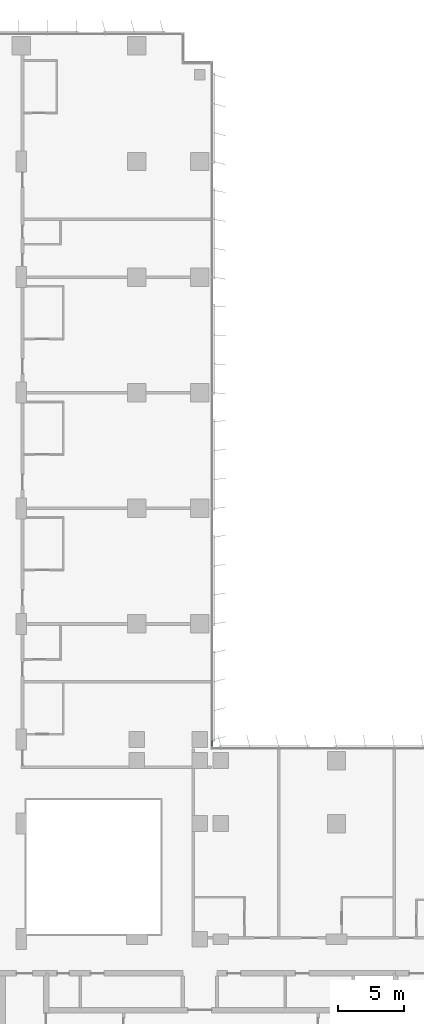
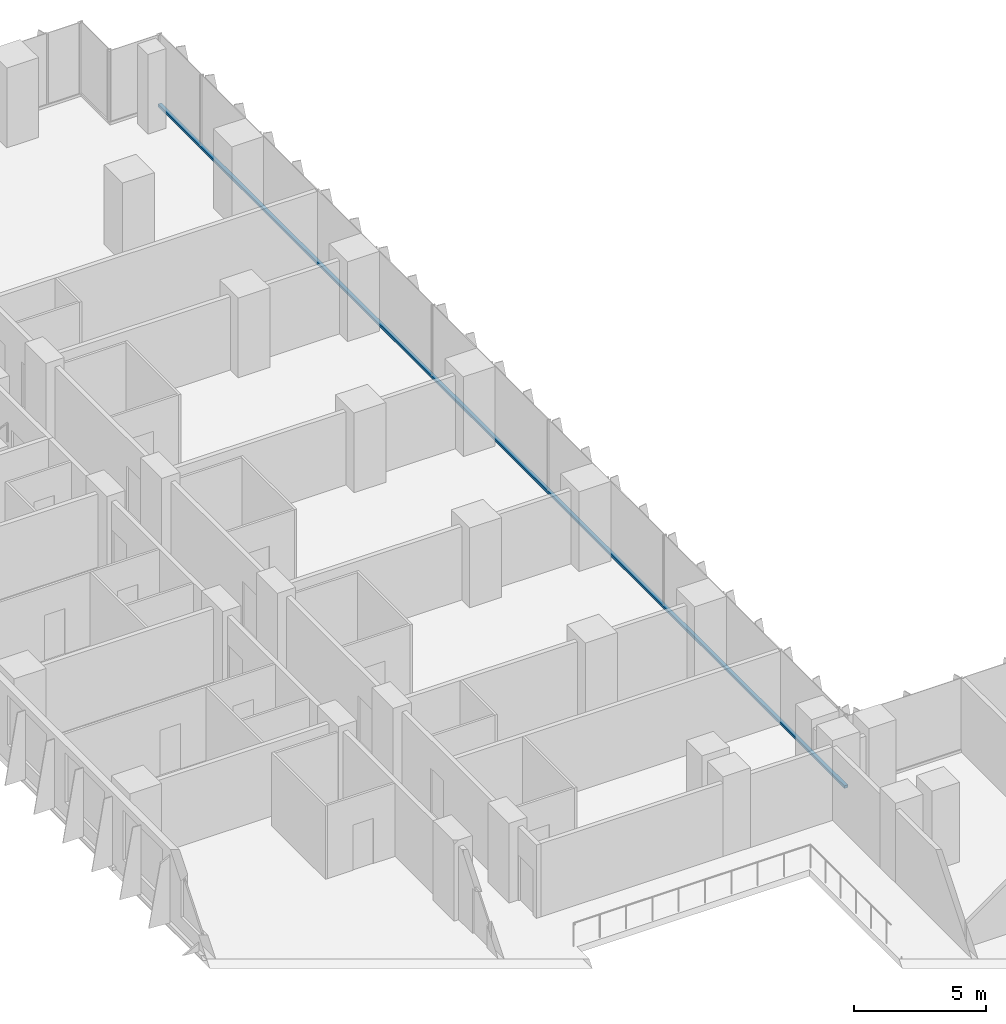
# One storey, part 6 of 24: 1 member, 1 element without a shape of its own.
"""IFC4 building model written with IfcOpenShell, lengths in metres."""

from ifc_helpers import new_model, si_unit, direction, frame, origin, origin_2d, place, context, subcontext, project, spatial, rectangle, extrude, material, material_profile, profile_set, type_object, element, aggregate, save


model = new_model("IFC4")

# Units and contexts
model_context = context("Model", 3, precision=1e-05, world=origin(), true_north=direction((0.0, 1.0)))
body_context = subcontext(model_context, "Body", "Model", "MODEL_VIEW")
ifc_project = project(units=[si_unit("LENGTHUNIT", "METRE"), si_unit("AREAUNIT", "SQUARE_METRE"), si_unit("VOLUMEUNIT", "CUBIC_METRE"), si_unit("PLANEANGLEUNIT", "RADIAN"), si_unit("MASSUNIT", "GRAM", prefix="KILO")], contexts=[model_context])

# Site, building, storey
site_placement = place(None, origin())
site = spatial("IfcSite", under=ifc_project, at=site_placement, CompositionType="ELEMENT")
building_placement = place(site_placement, origin())
building = spatial("IfcBuilding", under=site, at=building_placement, Name="Kemantara Hotel Tower", CompositionType="ELEMENT")
storey_placement = place(building_placement, frame((0.0, 0.0, 76.0)))
storey = spatial("IfcBuildingStorey", under=building, at=storey_placement, Name="L17", CompositionType="ELEMENT", Elevation=76.0)

# Curtain wall, member
ifc_material_1 = material(Name="Low-E tinted double insulated glass 36 mm", Category="glass")
curtain_wall_type = type_object("IfcCurtainWallType", Name="TOWER CURTAIN WALL, FRONT FACES", PredefinedType="USERDEFINED", material=ifc_material_1)
curtain_wall_placement = place(storey_placement, origin())
curtain_wall = element("IfcCurtainWall", 1, at=curtain_wall_placement, inside=storey, type_object=curtain_wall_type, Name="CW4 L17 T1-R08-1", ObjectType="TOWER CURTAIN WALL, FRONT FACES", PredefinedType="USERDEFINED")
ifc_material_2 = material(Name="Aluminium 6063-T6 bronze anodised", Category="aluminium")
ifc_material_profile = material_profile(ifc_material_2, rectangle(XDim=0.14990234375, YDim=0.1201171875, at=origin_2d()), Name="TOWER CURTAIN WALL, FRONT FACES TRANSOM")
ifc_profile_set = profile_set([ifc_material_profile], Name="Aluminium 6063-T6 bronze anodised")
member_type = type_object("IfcMemberType", Name="TOWER CURTAIN WALL, FRONT FACES TRANSOM", PredefinedType="USERDEFINED", material=ifc_profile_set)
member_placement = place(storey_placement, frame((26.72509765625, 26.800048828125, 0.06005859375), z_axis=(0.0, 1.0, 0.0), x_axis=(-1.0, 0.0, 0.0)))
member = element("IfcMember", 2, at=member_placement, type_object=member_type, Name="CW4 sill transom T1-R08-1", ObjectType="TRANSOM", PredefinedType="USERDEFINED", context=body_context, shape_type="SweptSolid", body=[
    extrude(rectangle(XDim=0.14990234375, YDim=0.1201171875, at=origin_2d()), origin(), (0.0, 0.0, 1.0), 52.199951171875),
])
aggregate(curtain_wall, [member])

save(model, "model.ifc")
